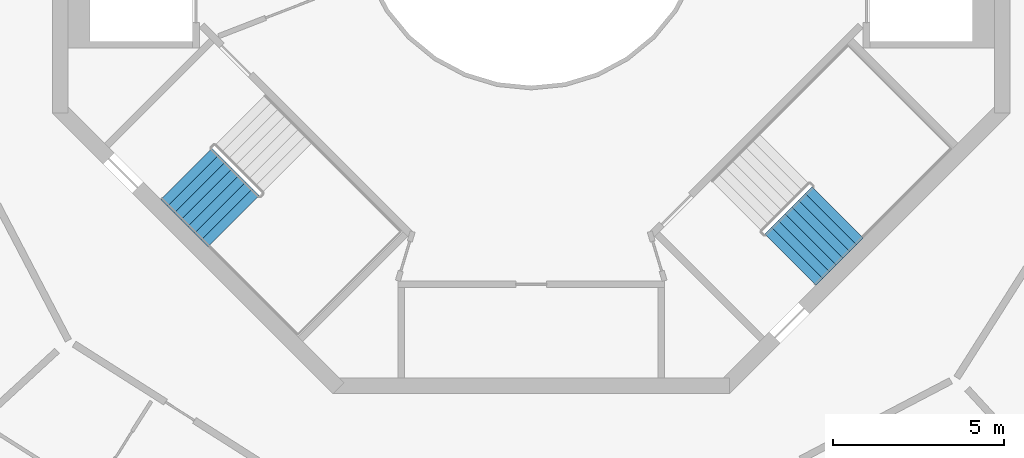
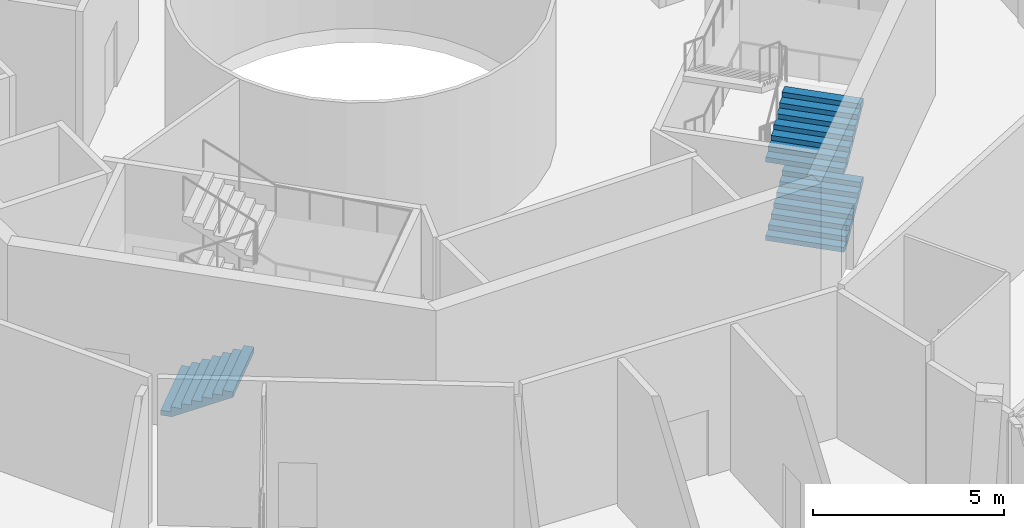
# One storey, part 16 of 21: 3 stair flights, 2 elements without a shape of their own.
"""IFC4 building model written with IfcOpenShell, lengths in metres."""

from ifc_helpers import new_model, si_unit, direction, frame, origin, place, context, subcontext, project, spatial, triangles, material, type_object, element, aggregate, save


model = new_model("IFC4")

# Units and contexts
model_context = context("Model", 3, precision=1e-05, world=origin(), true_north=direction((0.0, 1.0)))
body_context = subcontext(model_context, "Body", "Model", "MODEL_VIEW")
ifc_project = project(units=[si_unit("LENGTHUNIT", "METRE"), si_unit("AREAUNIT", "SQUARE_METRE"), si_unit("VOLUMEUNIT", "CUBIC_METRE"), si_unit("PLANEANGLEUNIT", "RADIAN"), si_unit("MASSUNIT", "GRAM", prefix="KILO")], contexts=[model_context])

# Site, building, storey
site_placement = place(None, origin())
site = spatial("IfcSite", under=ifc_project, at=site_placement, CompositionType="ELEMENT")
building_placement = place(site_placement, origin())
building = spatial("IfcBuilding", under=site, at=building_placement, Name="Verdalira Terraces Hotel", CompositionType="ELEMENT")
storey_placement = place(building_placement, frame((0.0, 0.0, 269.0)))
storey = spatial("IfcBuildingStorey", under=building, at=storey_placement, Name="L66", CompositionType="ELEMENT", Elevation=269.0)

# Stair, stair flight
ifc_material_1 = material(Name="Concrete C40", Category="concrete")
stair_type = type_object("IfcStairType", Name="Core stair 32 risers 2125 mm wide", PredefinedType="HALF_TURN_STAIR", material=ifc_material_1)
stair_1_placement = place(storey_placement, origin())
stair_1 = element("IfcStair", 1, at=stair_1_placement, inside=storey, type_object=stair_type, Name="L66 Exit stair ST2", PredefinedType="HALF_TURN_STAIR")
ifc_material_2 = material(Name="Concrete C40", Category="concrete")
stair_flight_type = type_object("IfcStairFlightType", Name="Core stair flight 32 risers 2125 mm wide", PredefinedType="STRAIGHT", material=ifc_material_2)
stair_flight_1_placement = place(storey_placement, frame((-10.085205, -7.574951, 0.0), z_axis=(0.0, 0.0, 1.0), x_axis=(0.707106781, -0.707106781, 0.0)))
stair_flight_1 = element("IfcStairFlight", 2, at=stair_flight_1_placement, type_object=stair_flight_type, Name="ST2 flight 1", NumberOfRisers=8, NumberOfTreads=7, PredefinedType="STRAIGHT", RiserHeight=0.15625, TreadLength=0.28, context=body_context, shape_type="Tessellation", body=[
    triangles([(0.0, 1.0625, 0.0), (0.307617, 1.0625, 0.0), (1.959961, 1.0625, 0.922119), (0.0, -1.0625, 0.0), (0.307617, -1.0625, 0.0), (1.959961, -1.0625, 0.922119), (1.959961, 1.0625, 1.09375), (1.679932, 1.0625, 1.09375), (1.959961, -1.0625, 1.09375), (1.679932, -1.0625, 1.09375), (1.679932, 1.0625, 0.9375), (1.679932, -1.0625, 0.9375), (1.399902, 1.0625, 0.9375), (1.399902, -1.0625, 0.9375), (1.399902, 1.0625, 0.78125), (1.399902, -1.0625, 0.78125), (1.120117, 1.0625, 0.78125), (1.120117, 1.0625, 0.625), (1.120117, -1.0625, 0.78125), (1.120117, -1.0625, 0.625), (0.840088, 1.0625, 0.625), (0.840088, 1.0625, 0.46875), (0.840088, -1.0625, 0.625), (0.840088, -1.0625, 0.46875), (0.560059, 1.0625, 0.46875), (0.560059, 1.0625, 0.3125), (0.560059, -1.0625, 0.46875), (0.560059, -1.0625, 0.3125), (0.280029, 1.0625, 0.3125), (0.280029, 1.0625, 0.15625), (0.280029, -1.0625, 0.3125), (0.280029, -1.0625, 0.15625), (0.0, 1.0625, 0.15625), (0.0, -1.0625, 0.15625), (0.0, -0.996094, 0.0), (0.0, -0.996094, 0.15625), (0.0, -0.929688, 0.0), (0.0, -0.929688, 0.15625), (0.0, -0.863281, 0.0), (0.0, -0.863281, 0.15625), (0.0, -0.796875, 0.0), (0.0, -0.796875, 0.15625), (0.0, -0.730469, 0.0), (0.0, -0.730469, 0.15625), (0.0, -0.664062, 0.0), (0.0, -0.664062, 0.15625), (0.0, -0.597656, 0.0), (0.0, -0.597656, 0.15625), (0.0, -0.53125, 0.0), (0.0, -0.53125, 0.15625), (0.0, -0.464844, 0.0), (0.0, -0.464844, 0.15625), (0.0, -0.398438, 0.0), (0.0, -0.398438, 0.15625), (0.0, -0.332031, 0.0), (0.0, -0.332031, 0.15625), (0.0, -0.265625, 0.0), (0.0, -0.265625, 0.15625), (0.0, -0.199219, 0.0), (0.0, -0.199219, 0.15625), (0.0, -0.132812, 0.0), (0.0, -0.132812, 0.15625), (0.0, -0.066406, 0.0), (0.0, -0.066406, 0.15625), (0.0, 0.0, 0.0), (0.0, 0.0, 0.15625), (0.0, 0.066406, 0.0), (0.0, 0.066406, 0.15625), (0.0, 0.132812, 0.0), (0.0, 0.132812, 0.15625), (0.0, 0.199219, 0.0), (0.0, 0.199219, 0.15625), (0.0, 0.265625, 0.0), (0.0, 0.265625, 0.15625), (0.0, 0.332031, 0.0), (0.0, 0.332031, 0.15625), (0.0, 0.398438, 0.0), (0.0, 0.398438, 0.15625), (0.0, 0.464844, 0.0), (0.0, 0.464844, 0.15625), (0.0, 0.53125, 0.0), (0.0, 0.53125, 0.15625), (0.0, 0.597656, 0.0), (0.0, 0.597656, 0.15625), (0.0, 0.664062, 0.0), (0.0, 0.664062, 0.15625), (0.0, 0.730469, 0.0), (0.0, 0.730469, 0.15625), (0.0, 0.796875, 0.0), (0.0, 0.796875, 0.15625), (0.0, 0.863281, 0.0), (0.0, 0.863281, 0.15625), (0.0, 0.929688, 0.0), (0.0, 0.929688, 0.15625), (0.0, 0.996094, 0.0), (0.0, 0.996094, 0.15625), (1.959961, -0.996094, 1.09375), (1.959961, -0.929688, 1.09375), (1.959961, -0.863281, 1.09375), (1.959961, -0.796875, 1.09375), (1.959961, -0.730469, 1.09375), (1.959961, -0.664062, 1.09375), (1.959961, -0.597656, 1.09375), (1.959961, -0.53125, 1.09375), (1.959961, -0.464844, 1.09375), (1.959961, -0.398438, 1.09375), (1.959961, -0.332031, 1.09375), (1.959961, -0.265625, 1.09375), (1.959961, -0.199219, 1.09375), (1.959961, -0.132812, 1.09375), (1.959961, -0.066406, 1.09375), (1.959961, 0.0, 1.09375), (1.959961, 0.066406, 1.09375), (1.959961, 0.132812, 1.09375), (1.959961, 0.199219, 1.09375), (1.959961, 0.265625, 1.09375), (1.959961, 0.332031, 1.09375), (1.959961, 0.398438, 1.09375), (1.959961, 0.464844, 1.09375), (1.959961, 0.53125, 1.09375), (1.959961, 0.597656, 1.09375), (1.959961, 0.664062, 1.09375), (1.959961, 0.730469, 1.09375), (1.959961, 0.796875, 1.09375), (1.959961, 0.863281, 1.09375), (1.959961, 0.929688, 1.09375), (1.959961, 0.996094, 1.09375), (1.959961, -0.996094, 0.922119), (1.959961, -0.929688, 0.922119), (1.959961, -0.863281, 0.922119), (1.959961, -0.796875, 0.922119), (1.959961, -0.730469, 0.922119), (1.959961, -0.664062, 0.922119), (1.959961, -0.597656, 0.922119), (1.959961, -0.53125, 0.922119), (1.959961, -0.464844, 0.922119), (1.959961, -0.398438, 0.922119), (1.959961, -0.332031, 0.922119), (1.959961, -0.265625, 0.922119), (1.959961, -0.199219, 0.922119), (1.959961, -0.132812, 0.922119), (1.959961, -0.066406, 0.922119), (1.959961, 0.0, 0.922119), (1.959961, 0.066406, 0.922119), (1.959961, 0.132812, 0.922119), (1.959961, 0.199219, 0.922119), (1.959961, 0.265625, 0.922119), (1.959961, 0.332031, 0.922119), (1.959961, 0.398438, 0.922119), (1.959961, 0.464844, 0.922119), (1.959961, 0.53125, 0.922119), (1.959961, 0.597656, 0.922119), (1.959961, 0.664062, 0.922119), (1.959961, 0.730469, 0.922119), (1.959961, 0.796875, 0.922119), (1.959961, 0.863281, 0.922119), (1.959961, 0.929688, 0.922119), (1.959961, 0.996094, 0.922119)], [[1, 3, 2], [4, 5, 6], [3, 8, 7], [6, 9, 10], [3, 11, 8], [6, 10, 12], [3, 13, 11], [6, 12, 14], [3, 15, 13], [6, 14, 16], [15, 18, 17], [16, 19, 20], [3, 18, 15], [6, 16, 20], [18, 22, 21], [20, 23, 24], [3, 22, 18], [6, 20, 24], [22, 26, 25], [24, 27, 28], [3, 26, 22], [6, 24, 28], [26, 30, 29], [28, 31, 32], [3, 30, 26], [6, 28, 32], [1, 30, 3], [4, 6, 32], [30, 1, 33], [32, 34, 4], [4, 36, 35], [4, 34, 36], [35, 38, 37], [35, 36, 38], [37, 40, 39], [37, 38, 40], [39, 42, 41], [39, 40, 42], [41, 44, 43], [41, 42, 44], [43, 46, 45], [43, 44, 46], [45, 48, 47], [45, 46, 48], [47, 50, 49], [47, 48, 50], [49, 52, 51], [49, 50, 52], [51, 54, 53], [51, 52, 54], [53, 56, 55], [53, 54, 56], [55, 58, 57], [55, 56, 58], [57, 60, 59], [57, 58, 60], [59, 62, 61], [59, 60, 62], [61, 64, 63], [61, 62, 64], [63, 66, 65], [63, 64, 66], [65, 68, 67], [65, 66, 68], [67, 70, 69], [67, 68, 70], [69, 72, 71], [69, 70, 72], [71, 74, 73], [71, 72, 74], [73, 76, 75], [73, 74, 76], [75, 78, 77], [75, 76, 78], [77, 80, 79], [77, 78, 80], [79, 82, 81], [79, 80, 82], [81, 84, 83], [81, 82, 84], [83, 86, 85], [83, 84, 86], [85, 88, 87], [85, 86, 88], [87, 90, 89], [87, 88, 90], [89, 92, 91], [89, 90, 92], [91, 94, 93], [91, 92, 94], [93, 96, 95], [93, 94, 96], [95, 33, 1], [95, 96, 33], [34, 32, 36], [36, 32, 38], [38, 32, 40], [40, 32, 42], [42, 32, 44], [44, 32, 46], [46, 32, 48], [48, 32, 50], [50, 32, 52], [52, 32, 54], [54, 32, 56], [56, 32, 58], [58, 32, 60], [60, 32, 62], [62, 32, 64], [64, 32, 66], [66, 32, 68], [68, 32, 70], [70, 32, 72], [72, 32, 74], [74, 32, 76], [76, 32, 78], [78, 32, 80], [80, 32, 82], [82, 32, 84], [84, 32, 86], [86, 32, 88], [88, 32, 90], [90, 32, 92], [92, 32, 94], [94, 32, 96], [96, 32, 33], [33, 32, 30], [32, 29, 30], [32, 31, 29], [31, 26, 29], [31, 28, 26], [28, 25, 26], [28, 27, 25], [27, 22, 25], [27, 24, 22], [24, 21, 22], [24, 23, 21], [23, 18, 21], [23, 20, 18], [20, 17, 18], [20, 19, 17], [19, 15, 17], [19, 16, 15], [16, 13, 15], [16, 14, 13], [14, 11, 13], [14, 12, 11], [12, 8, 11], [12, 10, 8], [9, 97, 10], [97, 98, 10], [98, 99, 10], [99, 100, 10], [100, 101, 10], [101, 102, 10], [102, 103, 10], [103, 104, 10], [104, 105, 10], [105, 106, 10], [106, 107, 10], [107, 108, 10], [108, 109, 10], [109, 110, 10], [110, 111, 10], [111, 112, 10], [112, 113, 10], [113, 114, 10], [114, 115, 10], [115, 116, 10], [116, 117, 10], [117, 118, 10], [118, 119, 10], [119, 120, 10], [120, 121, 10], [121, 122, 10], [122, 123, 10], [123, 124, 10], [124, 125, 10], [125, 126, 10], [126, 127, 10], [127, 7, 10], [7, 8, 10], [9, 128, 97], [9, 6, 128], [97, 129, 98], [97, 128, 129], [98, 130, 99], [98, 129, 130], [99, 131, 100], [99, 130, 131], [100, 132, 101], [100, 131, 132], [101, 133, 102], [101, 132, 133], [102, 134, 103], [102, 133, 134], [103, 135, 104], [103, 134, 135], [104, 136, 105], [104, 135, 136], [105, 137, 106], [105, 136, 137], [106, 138, 107], [106, 137, 138], [107, 139, 108], [107, 138, 139], [108, 140, 109], [108, 139, 140], [109, 141, 110], [109, 140, 141], [110, 142, 111], [110, 141, 142], [111, 143, 112], [111, 142, 143], [112, 144, 113], [112, 143, 144], [113, 145, 114], [113, 144, 145], [114, 146, 115], [114, 145, 146], [115, 147, 116], [115, 146, 147], [116, 148, 117], [116, 147, 148], [117, 149, 118], [117, 148, 149], [118, 150, 119], [118, 149, 150], [119, 151, 120], [119, 150, 151], [120, 152, 121], [120, 151, 152], [121, 153, 122], [121, 152, 153], [122, 154, 123], [122, 153, 154], [123, 155, 124], [123, 154, 155], [124, 156, 125], [124, 155, 156], [125, 157, 126], [125, 156, 157], [126, 158, 127], [126, 157, 158], [127, 3, 7], [127, 158, 3], [6, 5, 128], [128, 5, 129], [129, 5, 130], [130, 5, 131], [131, 5, 132], [132, 5, 133], [133, 5, 134], [134, 5, 135], [135, 5, 136], [136, 5, 137], [137, 5, 138], [138, 5, 139], [139, 5, 140], [140, 5, 141], [141, 5, 142], [142, 5, 143], [143, 5, 144], [144, 5, 145], [145, 5, 146], [146, 5, 147], [147, 5, 148], [148, 5, 149], [149, 5, 150], [150, 5, 151], [151, 5, 152], [152, 5, 153], [153, 5, 154], [154, 5, 155], [155, 5, 156], [156, 5, 157], [157, 5, 158], [158, 5, 3], [3, 5, 2], [4, 35, 5], [35, 37, 5], [37, 39, 5], [39, 41, 5], [41, 43, 5], [43, 45, 5], [45, 47, 5], [47, 49, 5], [49, 51, 5], [51, 53, 5], [53, 55, 5], [55, 57, 5], [57, 59, 5], [59, 61, 5], [61, 63, 5], [63, 65, 5], [65, 67, 5], [67, 69, 5], [69, 71, 5], [71, 73, 5], [73, 75, 5], [75, 77, 5], [77, 79, 5], [79, 81, 5], [81, 83, 5], [83, 85, 5], [85, 87, 5], [87, 89, 5], [89, 91, 5], [91, 93, 5], [93, 95, 5], [95, 1, 5], [1, 2, 5]], closed=True),
])
aggregate(stair_1, [stair_flight_1])

# Stair, stair flights
stair_2_placement = place(storey_placement, origin())
stair_2 = element("IfcStair", 3, at=stair_2_placement, inside=storey, type_object=stair_type, Name="L66 Exit stair ST3", PredefinedType="HALF_TURN_STAIR")
stair_flight_2_placement = place(storey_placement, frame((7.574951, -10.085205, 0.0), z_axis=(0.0, 0.0, 1.0), x_axis=(0.707106781, 0.707106781, 0.0)))
stair_flight_2 = element("IfcStairFlight", 4, at=stair_flight_2_placement, type_object=stair_flight_type, Name="ST3 flight 1", NumberOfRisers=8, NumberOfTreads=7, PredefinedType="STRAIGHT", RiserHeight=0.15625, TreadLength=0.28, context=body_context, shape_type="Tessellation", body=[
    triangles([(0.0, 1.0625, 0.0), (0.307617, 1.0625, 0.0), (1.959961, 1.0625, 0.922119), (0.0, -1.0625, 0.0), (0.307617, -1.0625, 0.0), (1.959961, -1.0625, 0.922119), (1.959961, 1.0625, 1.09375), (1.679932, 1.0625, 1.09375), (1.959961, -1.0625, 1.09375), (1.679932, -1.0625, 1.09375), (1.679932, 1.0625, 0.9375), (1.679932, -1.0625, 0.9375), (1.399902, 1.0625, 0.9375), (1.399902, -1.0625, 0.9375), (1.399902, 1.0625, 0.78125), (1.399902, -1.0625, 0.78125), (1.120117, 1.0625, 0.78125), (1.120117, 1.0625, 0.625), (1.120117, -1.0625, 0.78125), (1.120117, -1.0625, 0.625), (0.840088, 1.0625, 0.625), (0.840088, 1.0625, 0.46875), (0.840088, -1.0625, 0.625), (0.840088, -1.0625, 0.46875), (0.560059, 1.0625, 0.46875), (0.560059, 1.0625, 0.3125), (0.560059, -1.0625, 0.46875), (0.560059, -1.0625, 0.3125), (0.280029, 1.0625, 0.3125), (0.280029, 1.0625, 0.15625), (0.280029, -1.0625, 0.3125), (0.280029, -1.0625, 0.15625), (0.0, 1.0625, 0.15625), (0.0, -1.0625, 0.15625), (0.0, -0.996094, 0.0), (0.0, -0.996094, 0.15625), (0.0, -0.929688, 0.0), (0.0, -0.929688, 0.15625), (0.0, -0.863281, 0.0), (0.0, -0.863281, 0.15625), (0.0, -0.796875, 0.0), (0.0, -0.796875, 0.15625), (0.0, -0.730469, 0.0), (0.0, -0.730469, 0.15625), (0.0, -0.664062, 0.0), (0.0, -0.664062, 0.15625), (0.0, -0.597656, 0.0), (0.0, -0.597656, 0.15625), (0.0, -0.53125, 0.0), (0.0, -0.53125, 0.15625), (0.0, -0.464844, 0.0), (0.0, -0.464844, 0.15625), (0.0, -0.398438, 0.0), (0.0, -0.398438, 0.15625), (0.0, -0.332031, 0.0), (0.0, -0.332031, 0.15625), (0.0, -0.265625, 0.0), (0.0, -0.265625, 0.15625), (0.0, -0.199219, 0.0), (0.0, -0.199219, 0.15625), (0.0, -0.132812, 0.0), (0.0, -0.132812, 0.15625), (0.0, -0.066406, 0.0), (0.0, -0.066406, 0.15625), (0.0, 0.0, 0.0), (0.0, 0.0, 0.15625), (0.0, 0.066406, 0.0), (0.0, 0.066406, 0.15625), (0.0, 0.132812, 0.0), (0.0, 0.132812, 0.15625), (0.0, 0.199219, 0.0), (0.0, 0.199219, 0.15625), (0.0, 0.265625, 0.0), (0.0, 0.265625, 0.15625), (0.0, 0.332031, 0.0), (0.0, 0.332031, 0.15625), (0.0, 0.398438, 0.0), (0.0, 0.398438, 0.15625), (0.0, 0.464844, 0.0), (0.0, 0.464844, 0.15625), (0.0, 0.53125, 0.0), (0.0, 0.53125, 0.15625), (0.0, 0.597656, 0.0), (0.0, 0.597656, 0.15625), (0.0, 0.664062, 0.0), (0.0, 0.664062, 0.15625), (0.0, 0.730469, 0.0), (0.0, 0.730469, 0.15625), (0.0, 0.796875, 0.0), (0.0, 0.796875, 0.15625), (0.0, 0.863281, 0.0), (0.0, 0.863281, 0.15625), (0.0, 0.929688, 0.0), (0.0, 0.929688, 0.15625), (0.0, 0.996094, 0.0), (0.0, 0.996094, 0.15625), (1.959961, -0.996094, 1.09375), (1.959961, -0.929688, 1.09375), (1.959961, -0.863281, 1.09375), (1.959961, -0.796875, 1.09375), (1.959961, -0.730469, 1.09375), (1.959961, -0.664062, 1.09375), (1.959961, -0.597656, 1.09375), (1.959961, -0.53125, 1.09375), (1.959961, -0.464844, 1.09375), (1.959961, -0.398438, 1.09375), (1.959961, -0.332031, 1.09375), (1.959961, -0.265625, 1.09375), (1.959961, -0.199219, 1.09375), (1.959961, -0.132812, 1.09375), (1.959961, -0.066406, 1.09375), (1.959961, 0.0, 1.09375), (1.959961, 0.066406, 1.09375), (1.959961, 0.132812, 1.09375), (1.959961, 0.199219, 1.09375), (1.959961, 0.265625, 1.09375), (1.959961, 0.332031, 1.09375), (1.959961, 0.398438, 1.09375), (1.959961, 0.464844, 1.09375), (1.959961, 0.53125, 1.09375), (1.959961, 0.597656, 1.09375), (1.959961, 0.664062, 1.09375), (1.959961, 0.730469, 1.09375), (1.959961, 0.796875, 1.09375), (1.959961, 0.863281, 1.09375), (1.959961, 0.929688, 1.09375), (1.959961, 0.996094, 1.09375), (1.959961, -0.996094, 0.922119), (1.959961, -0.929688, 0.922119), (1.959961, -0.863281, 0.922119), (1.959961, -0.796875, 0.922119), (1.959961, -0.730469, 0.922119), (1.959961, -0.664062, 0.922119), (1.959961, -0.597656, 0.922119), (1.959961, -0.53125, 0.922119), (1.959961, -0.464844, 0.922119), (1.959961, -0.398438, 0.922119), (1.959961, -0.332031, 0.922119), (1.959961, -0.265625, 0.922119), (1.959961, -0.199219, 0.922119), (1.959961, -0.132812, 0.922119), (1.959961, -0.066406, 0.922119), (1.959961, 0.0, 0.922119), (1.959961, 0.066406, 0.922119), (1.959961, 0.132812, 0.922119), (1.959961, 0.199219, 0.922119), (1.959961, 0.265625, 0.922119), (1.959961, 0.332031, 0.922119), (1.959961, 0.398438, 0.922119), (1.959961, 0.464844, 0.922119), (1.959961, 0.53125, 0.922119), (1.959961, 0.597656, 0.922119), (1.959961, 0.664062, 0.922119), (1.959961, 0.730469, 0.922119), (1.959961, 0.796875, 0.922119), (1.959961, 0.863281, 0.922119), (1.959961, 0.929688, 0.922119), (1.959961, 0.996094, 0.922119)], [[1, 3, 2], [4, 5, 6], [3, 8, 7], [6, 9, 10], [3, 11, 8], [6, 10, 12], [3, 13, 11], [6, 12, 14], [3, 15, 13], [6, 14, 16], [15, 18, 17], [16, 19, 20], [3, 18, 15], [6, 16, 20], [18, 22, 21], [20, 23, 24], [3, 22, 18], [6, 20, 24], [22, 26, 25], [24, 27, 28], [3, 26, 22], [6, 24, 28], [26, 30, 29], [28, 31, 32], [3, 30, 26], [6, 28, 32], [1, 30, 3], [4, 6, 32], [30, 1, 33], [32, 34, 4], [4, 36, 35], [4, 34, 36], [35, 38, 37], [35, 36, 38], [37, 40, 39], [37, 38, 40], [39, 42, 41], [39, 40, 42], [41, 44, 43], [41, 42, 44], [43, 46, 45], [43, 44, 46], [45, 48, 47], [45, 46, 48], [47, 50, 49], [47, 48, 50], [49, 52, 51], [49, 50, 52], [51, 54, 53], [51, 52, 54], [53, 56, 55], [53, 54, 56], [55, 58, 57], [55, 56, 58], [57, 60, 59], [57, 58, 60], [59, 62, 61], [59, 60, 62], [61, 64, 63], [61, 62, 64], [63, 66, 65], [63, 64, 66], [65, 68, 67], [65, 66, 68], [67, 70, 69], [67, 68, 70], [69, 72, 71], [69, 70, 72], [71, 74, 73], [71, 72, 74], [73, 76, 75], [73, 74, 76], [75, 78, 77], [75, 76, 78], [77, 80, 79], [77, 78, 80], [79, 82, 81], [79, 80, 82], [81, 84, 83], [81, 82, 84], [83, 86, 85], [83, 84, 86], [85, 88, 87], [85, 86, 88], [87, 90, 89], [87, 88, 90], [89, 92, 91], [89, 90, 92], [91, 94, 93], [91, 92, 94], [93, 96, 95], [93, 94, 96], [95, 33, 1], [95, 96, 33], [34, 32, 36], [36, 32, 38], [38, 32, 40], [40, 32, 42], [42, 32, 44], [44, 32, 46], [46, 32, 48], [48, 32, 50], [50, 32, 52], [52, 32, 54], [54, 32, 56], [56, 32, 58], [58, 32, 60], [60, 32, 62], [62, 32, 64], [64, 32, 66], [66, 32, 68], [68, 32, 70], [70, 32, 72], [72, 32, 74], [74, 32, 76], [76, 32, 78], [78, 32, 80], [80, 32, 82], [82, 32, 84], [84, 32, 86], [86, 32, 88], [88, 32, 90], [90, 32, 92], [92, 32, 94], [94, 32, 96], [96, 32, 33], [33, 32, 30], [32, 29, 30], [32, 31, 29], [31, 26, 29], [31, 28, 26], [28, 25, 26], [28, 27, 25], [27, 22, 25], [27, 24, 22], [24, 21, 22], [24, 23, 21], [23, 18, 21], [23, 20, 18], [20, 17, 18], [20, 19, 17], [19, 15, 17], [19, 16, 15], [16, 13, 15], [16, 14, 13], [14, 11, 13], [14, 12, 11], [12, 8, 11], [12, 10, 8], [9, 97, 10], [97, 98, 10], [98, 99, 10], [99, 100, 10], [100, 101, 10], [101, 102, 10], [102, 103, 10], [103, 104, 10], [104, 105, 10], [105, 106, 10], [106, 107, 10], [107, 108, 10], [108, 109, 10], [109, 110, 10], [110, 111, 10], [111, 112, 10], [112, 113, 10], [113, 114, 10], [114, 115, 10], [115, 116, 10], [116, 117, 10], [117, 118, 10], [118, 119, 10], [119, 120, 10], [120, 121, 10], [121, 122, 10], [122, 123, 10], [123, 124, 10], [124, 125, 10], [125, 126, 10], [126, 127, 10], [127, 7, 10], [7, 8, 10], [9, 128, 97], [9, 6, 128], [97, 129, 98], [97, 128, 129], [98, 130, 99], [98, 129, 130], [99, 131, 100], [99, 130, 131], [100, 132, 101], [100, 131, 132], [101, 133, 102], [101, 132, 133], [102, 134, 103], [102, 133, 134], [103, 135, 104], [103, 134, 135], [104, 136, 105], [104, 135, 136], [105, 137, 106], [105, 136, 137], [106, 138, 107], [106, 137, 138], [107, 139, 108], [107, 138, 139], [108, 140, 109], [108, 139, 140], [109, 141, 110], [109, 140, 141], [110, 142, 111], [110, 141, 142], [111, 143, 112], [111, 142, 143], [112, 144, 113], [112, 143, 144], [113, 145, 114], [113, 144, 145], [114, 146, 115], [114, 145, 146], [115, 147, 116], [115, 146, 147], [116, 148, 117], [116, 147, 148], [117, 149, 118], [117, 148, 149], [118, 150, 119], [118, 149, 150], [119, 151, 120], [119, 150, 151], [120, 152, 121], [120, 151, 152], [121, 153, 122], [121, 152, 153], [122, 154, 123], [122, 153, 154], [123, 155, 124], [123, 154, 155], [124, 156, 125], [124, 155, 156], [125, 157, 126], [125, 156, 157], [126, 158, 127], [126, 157, 158], [127, 3, 7], [127, 158, 3], [6, 5, 128], [128, 5, 129], [129, 5, 130], [130, 5, 131], [131, 5, 132], [132, 5, 133], [133, 5, 134], [134, 5, 135], [135, 5, 136], [136, 5, 137], [137, 5, 138], [138, 5, 139], [139, 5, 140], [140, 5, 141], [141, 5, 142], [142, 5, 143], [143, 5, 144], [144, 5, 145], [145, 5, 146], [146, 5, 147], [147, 5, 148], [148, 5, 149], [149, 5, 150], [150, 5, 151], [151, 5, 152], [152, 5, 153], [153, 5, 154], [154, 5, 155], [155, 5, 156], [156, 5, 157], [157, 5, 158], [158, 5, 3], [3, 5, 2], [4, 35, 5], [35, 37, 5], [37, 39, 5], [39, 41, 5], [41, 43, 5], [43, 45, 5], [45, 47, 5], [47, 49, 5], [49, 51, 5], [51, 53, 5], [53, 55, 5], [55, 57, 5], [57, 59, 5], [59, 61, 5], [61, 63, 5], [63, 65, 5], [65, 67, 5], [67, 69, 5], [69, 71, 5], [71, 73, 5], [73, 75, 5], [75, 77, 5], [77, 79, 5], [79, 81, 5], [81, 83, 5], [83, 85, 5], [85, 87, 5], [87, 89, 5], [89, 91, 5], [91, 93, 5], [93, 95, 5], [95, 1, 5], [1, 2, 5]], closed=True),
])
stair_flight_3_placement = place(storey_placement, frame((7.574951, -10.085205, 2.5), z_axis=(0.0, 0.0, 1.0), x_axis=(0.707106781, 0.707106781, 0.0)))
stair_flight_3 = element("IfcStairFlight", 5, at=stair_flight_3_placement, type_object=stair_flight_type, Name="ST3 flight 3", NumberOfRisers=8, NumberOfTreads=7, PredefinedType="STRAIGHT", RiserHeight=0.15625, TreadLength=0.28, context=body_context, shape_type="Tessellation", body=[
    triangles([(0.0, 1.0625, 0.0), (0.307617, 1.0625, 0.0), (1.959961, 1.0625, 0.922119), (0.0, -1.0625, 0.0), (0.307617, -1.0625, 0.0), (1.959961, -1.0625, 0.922119), (1.959961, 1.0625, 1.09375), (1.679932, 1.0625, 1.09375), (1.959961, -1.0625, 1.09375), (1.679932, -1.0625, 1.09375), (1.679932, 1.0625, 0.9375), (1.679932, -1.0625, 0.9375), (1.399902, 1.0625, 0.9375), (1.399902, -1.0625, 0.9375), (1.399902, 1.0625, 0.78125), (1.399902, -1.0625, 0.78125), (1.120117, 1.0625, 0.78125), (1.120117, 1.0625, 0.625), (1.120117, -1.0625, 0.78125), (1.120117, -1.0625, 0.625), (0.840088, 1.0625, 0.625), (0.840088, 1.0625, 0.46875), (0.840088, -1.0625, 0.625), (0.840088, -1.0625, 0.46875), (0.560059, 1.0625, 0.46875), (0.560059, 1.0625, 0.3125), (0.560059, -1.0625, 0.46875), (0.560059, -1.0625, 0.3125), (0.280029, 1.0625, 0.3125), (0.280029, 1.0625, 0.15625), (0.280029, -1.0625, 0.3125), (0.280029, -1.0625, 0.15625), (0.0, 1.0625, 0.15625), (0.0, -1.0625, 0.15625), (0.0, -0.996094, 0.0), (0.0, -0.996094, 0.15625), (0.0, -0.929688, 0.0), (0.0, -0.929688, 0.15625), (0.0, -0.863281, 0.0), (0.0, -0.863281, 0.15625), (0.0, -0.796875, 0.0), (0.0, -0.796875, 0.15625), (0.0, -0.730469, 0.0), (0.0, -0.730469, 0.15625), (0.0, -0.664062, 0.0), (0.0, -0.664062, 0.15625), (0.0, -0.597656, 0.0), (0.0, -0.597656, 0.15625), (0.0, -0.53125, 0.0), (0.0, -0.53125, 0.15625), (0.0, -0.464844, 0.0), (0.0, -0.464844, 0.15625), (0.0, -0.398438, 0.0), (0.0, -0.398438, 0.15625), (0.0, -0.332031, 0.0), (0.0, -0.332031, 0.15625), (0.0, -0.265625, 0.0), (0.0, -0.265625, 0.15625), (0.0, -0.199219, 0.0), (0.0, -0.199219, 0.15625), (0.0, -0.132812, 0.0), (0.0, -0.132812, 0.15625), (0.0, -0.066406, 0.0), (0.0, -0.066406, 0.15625), (0.0, 0.0, 0.0), (0.0, 0.0, 0.15625), (0.0, 0.066406, 0.0), (0.0, 0.066406, 0.15625), (0.0, 0.132812, 0.0), (0.0, 0.132812, 0.15625), (0.0, 0.199219, 0.0), (0.0, 0.199219, 0.15625), (0.0, 0.265625, 0.0), (0.0, 0.265625, 0.15625), (0.0, 0.332031, 0.0), (0.0, 0.332031, 0.15625), (0.0, 0.398438, 0.0), (0.0, 0.398438, 0.15625), (0.0, 0.464844, 0.0), (0.0, 0.464844, 0.15625), (0.0, 0.53125, 0.0), (0.0, 0.53125, 0.15625), (0.0, 0.597656, 0.0), (0.0, 0.597656, 0.15625), (0.0, 0.664062, 0.0), (0.0, 0.664062, 0.15625), (0.0, 0.730469, 0.0), (0.0, 0.730469, 0.15625), (0.0, 0.796875, 0.0), (0.0, 0.796875, 0.15625), (0.0, 0.863281, 0.0), (0.0, 0.863281, 0.15625), (0.0, 0.929688, 0.0), (0.0, 0.929688, 0.15625), (0.0, 0.996094, 0.0), (0.0, 0.996094, 0.15625), (1.959961, -0.996094, 1.09375), (1.959961, -0.929688, 1.09375), (1.959961, -0.863281, 1.09375), (1.959961, -0.796875, 1.09375), (1.959961, -0.730469, 1.09375), (1.959961, -0.664062, 1.09375), (1.959961, -0.597656, 1.09375), (1.959961, -0.53125, 1.09375), (1.959961, -0.464844, 1.09375), (1.959961, -0.398438, 1.09375), (1.959961, -0.332031, 1.09375), (1.959961, -0.265625, 1.09375), (1.959961, -0.199219, 1.09375), (1.959961, -0.132812, 1.09375), (1.959961, -0.066406, 1.09375), (1.959961, 0.0, 1.09375), (1.959961, 0.066406, 1.09375), (1.959961, 0.132812, 1.09375), (1.959961, 0.199219, 1.09375), (1.959961, 0.265625, 1.09375), (1.959961, 0.332031, 1.09375), (1.959961, 0.398438, 1.09375), (1.959961, 0.464844, 1.09375), (1.959961, 0.53125, 1.09375), (1.959961, 0.597656, 1.09375), (1.959961, 0.664062, 1.09375), (1.959961, 0.730469, 1.09375), (1.959961, 0.796875, 1.09375), (1.959961, 0.863281, 1.09375), (1.959961, 0.929688, 1.09375), (1.959961, 0.996094, 1.09375), (1.959961, -0.996094, 0.922119), (1.959961, -0.929688, 0.922119), (1.959961, -0.863281, 0.922119), (1.959961, -0.796875, 0.922119), (1.959961, -0.730469, 0.922119), (1.959961, -0.664062, 0.922119), (1.959961, -0.597656, 0.922119), (1.959961, -0.53125, 0.922119), (1.959961, -0.464844, 0.922119), (1.959961, -0.398438, 0.922119), (1.959961, -0.332031, 0.922119), (1.959961, -0.265625, 0.922119), (1.959961, -0.199219, 0.922119), (1.959961, -0.132812, 0.922119), (1.959961, -0.066406, 0.922119), (1.959961, 0.0, 0.922119), (1.959961, 0.066406, 0.922119), (1.959961, 0.132812, 0.922119), (1.959961, 0.199219, 0.922119), (1.959961, 0.265625, 0.922119), (1.959961, 0.332031, 0.922119), (1.959961, 0.398438, 0.922119), (1.959961, 0.464844, 0.922119), (1.959961, 0.53125, 0.922119), (1.959961, 0.597656, 0.922119), (1.959961, 0.664062, 0.922119), (1.959961, 0.730469, 0.922119), (1.959961, 0.796875, 0.922119), (1.959961, 0.863281, 0.922119), (1.959961, 0.929688, 0.922119), (1.959961, 0.996094, 0.922119)], [[1, 3, 2], [4, 5, 6], [3, 8, 7], [6, 9, 10], [3, 11, 8], [6, 10, 12], [3, 13, 11], [6, 12, 14], [3, 15, 13], [6, 14, 16], [15, 18, 17], [16, 19, 20], [3, 18, 15], [6, 16, 20], [18, 22, 21], [20, 23, 24], [3, 22, 18], [6, 20, 24], [22, 26, 25], [24, 27, 28], [3, 26, 22], [6, 24, 28], [26, 30, 29], [28, 31, 32], [3, 30, 26], [6, 28, 32], [1, 30, 3], [4, 6, 32], [30, 1, 33], [32, 34, 4], [4, 36, 35], [4, 34, 36], [35, 38, 37], [35, 36, 38], [37, 40, 39], [37, 38, 40], [39, 42, 41], [39, 40, 42], [41, 44, 43], [41, 42, 44], [43, 46, 45], [43, 44, 46], [45, 48, 47], [45, 46, 48], [47, 50, 49], [47, 48, 50], [49, 52, 51], [49, 50, 52], [51, 54, 53], [51, 52, 54], [53, 56, 55], [53, 54, 56], [55, 58, 57], [55, 56, 58], [57, 60, 59], [57, 58, 60], [59, 62, 61], [59, 60, 62], [61, 64, 63], [61, 62, 64], [63, 66, 65], [63, 64, 66], [65, 68, 67], [65, 66, 68], [67, 70, 69], [67, 68, 70], [69, 72, 71], [69, 70, 72], [71, 74, 73], [71, 72, 74], [73, 76, 75], [73, 74, 76], [75, 78, 77], [75, 76, 78], [77, 80, 79], [77, 78, 80], [79, 82, 81], [79, 80, 82], [81, 84, 83], [81, 82, 84], [83, 86, 85], [83, 84, 86], [85, 88, 87], [85, 86, 88], [87, 90, 89], [87, 88, 90], [89, 92, 91], [89, 90, 92], [91, 94, 93], [91, 92, 94], [93, 96, 95], [93, 94, 96], [95, 33, 1], [95, 96, 33], [34, 32, 36], [36, 32, 38], [38, 32, 40], [40, 32, 42], [42, 32, 44], [44, 32, 46], [46, 32, 48], [48, 32, 50], [50, 32, 52], [52, 32, 54], [54, 32, 56], [56, 32, 58], [58, 32, 60], [60, 32, 62], [62, 32, 64], [64, 32, 66], [66, 32, 68], [68, 32, 70], [70, 32, 72], [72, 32, 74], [74, 32, 76], [76, 32, 78], [78, 32, 80], [80, 32, 82], [82, 32, 84], [84, 32, 86], [86, 32, 88], [88, 32, 90], [90, 32, 92], [92, 32, 94], [94, 32, 96], [96, 32, 33], [33, 32, 30], [32, 29, 30], [32, 31, 29], [31, 26, 29], [31, 28, 26], [28, 25, 26], [28, 27, 25], [27, 22, 25], [27, 24, 22], [24, 21, 22], [24, 23, 21], [23, 18, 21], [23, 20, 18], [20, 17, 18], [20, 19, 17], [19, 15, 17], [19, 16, 15], [16, 13, 15], [16, 14, 13], [14, 11, 13], [14, 12, 11], [12, 8, 11], [12, 10, 8], [9, 97, 10], [97, 98, 10], [98, 99, 10], [99, 100, 10], [100, 101, 10], [101, 102, 10], [102, 103, 10], [103, 104, 10], [104, 105, 10], [105, 106, 10], [106, 107, 10], [107, 108, 10], [108, 109, 10], [109, 110, 10], [110, 111, 10], [111, 112, 10], [112, 113, 10], [113, 114, 10], [114, 115, 10], [115, 116, 10], [116, 117, 10], [117, 118, 10], [118, 119, 10], [119, 120, 10], [120, 121, 10], [121, 122, 10], [122, 123, 10], [123, 124, 10], [124, 125, 10], [125, 126, 10], [126, 127, 10], [127, 7, 10], [7, 8, 10], [9, 128, 97], [9, 6, 128], [97, 129, 98], [97, 128, 129], [98, 130, 99], [98, 129, 130], [99, 131, 100], [99, 130, 131], [100, 132, 101], [100, 131, 132], [101, 133, 102], [101, 132, 133], [102, 134, 103], [102, 133, 134], [103, 135, 104], [103, 134, 135], [104, 136, 105], [104, 135, 136], [105, 137, 106], [105, 136, 137], [106, 138, 107], [106, 137, 138], [107, 139, 108], [107, 138, 139], [108, 140, 109], [108, 139, 140], [109, 141, 110], [109, 140, 141], [110, 142, 111], [110, 141, 142], [111, 143, 112], [111, 142, 143], [112, 144, 113], [112, 143, 144], [113, 145, 114], [113, 144, 145], [114, 146, 115], [114, 145, 146], [115, 147, 116], [115, 146, 147], [116, 148, 117], [116, 147, 148], [117, 149, 118], [117, 148, 149], [118, 150, 119], [118, 149, 150], [119, 151, 120], [119, 150, 151], [120, 152, 121], [120, 151, 152], [121, 153, 122], [121, 152, 153], [122, 154, 123], [122, 153, 154], [123, 155, 124], [123, 154, 155], [124, 156, 125], [124, 155, 156], [125, 157, 126], [125, 156, 157], [126, 158, 127], [126, 157, 158], [127, 3, 7], [127, 158, 3], [6, 5, 128], [128, 5, 129], [129, 5, 130], [130, 5, 131], [131, 5, 132], [132, 5, 133], [133, 5, 134], [134, 5, 135], [135, 5, 136], [136, 5, 137], [137, 5, 138], [138, 5, 139], [139, 5, 140], [140, 5, 141], [141, 5, 142], [142, 5, 143], [143, 5, 144], [144, 5, 145], [145, 5, 146], [146, 5, 147], [147, 5, 148], [148, 5, 149], [149, 5, 150], [150, 5, 151], [151, 5, 152], [152, 5, 153], [153, 5, 154], [154, 5, 155], [155, 5, 156], [156, 5, 157], [157, 5, 158], [158, 5, 3], [3, 5, 2], [4, 35, 5], [35, 37, 5], [37, 39, 5], [39, 41, 5], [41, 43, 5], [43, 45, 5], [45, 47, 5], [47, 49, 5], [49, 51, 5], [51, 53, 5], [53, 55, 5], [55, 57, 5], [57, 59, 5], [59, 61, 5], [61, 63, 5], [63, 65, 5], [65, 67, 5], [67, 69, 5], [69, 71, 5], [71, 73, 5], [73, 75, 5], [75, 77, 5], [77, 79, 5], [79, 81, 5], [81, 83, 5], [83, 85, 5], [85, 87, 5], [87, 89, 5], [89, 91, 5], [91, 93, 5], [93, 95, 5], [95, 1, 5], [1, 2, 5]], closed=True),
])
aggregate(stair_2, [stair_flight_2, stair_flight_3])

save(model, "model.ifc")
